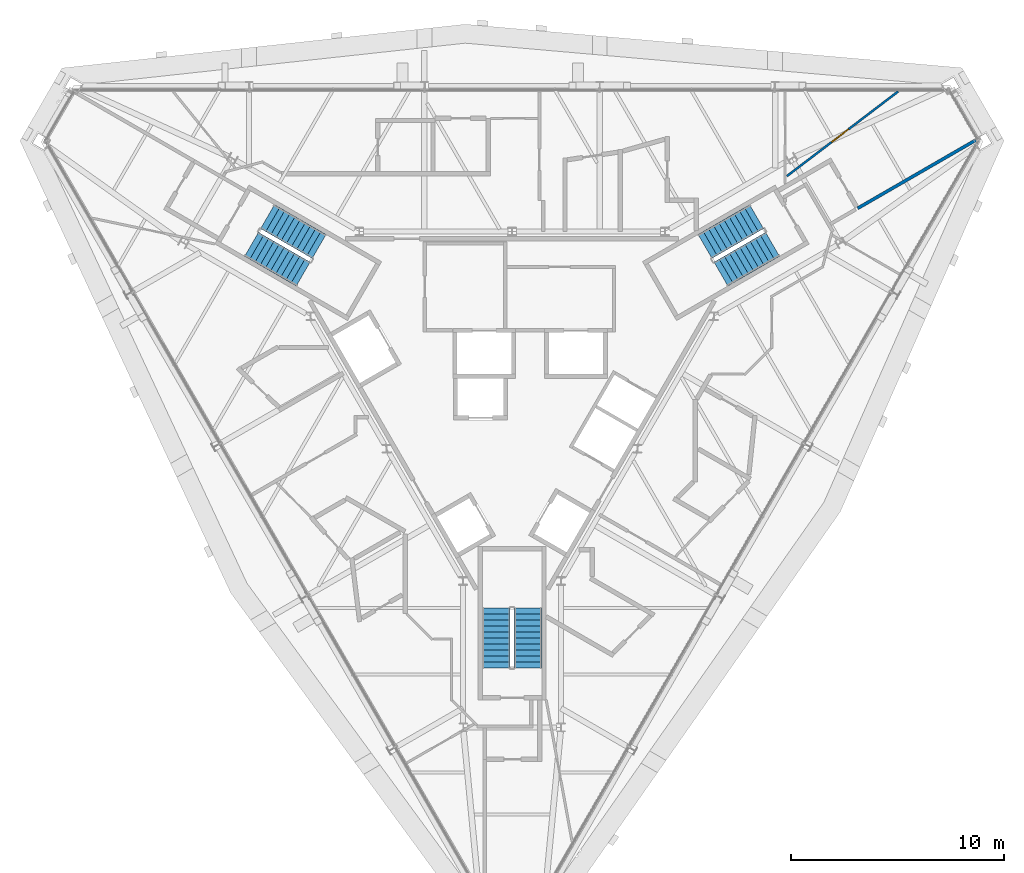
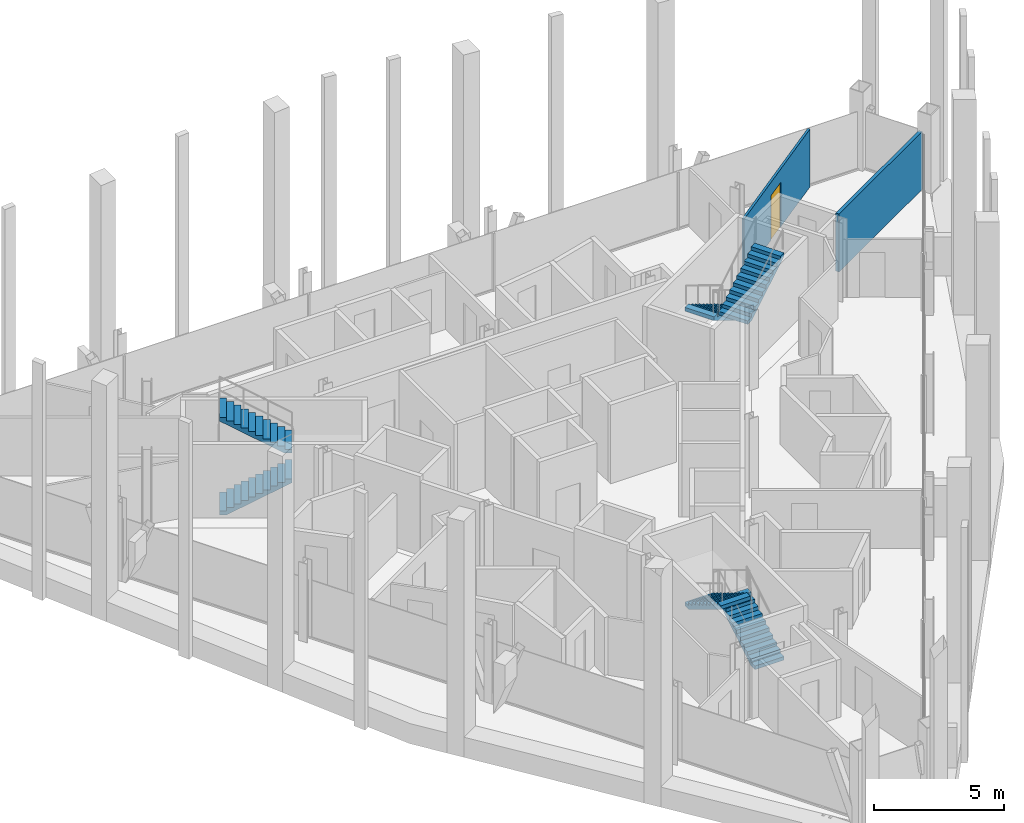
# One storey, part 11 of 13: 6 stair flights, 2 walls, 1 door, 1 opening, 3 elements without a shape of their own.
"""IFC4 building model written with IfcOpenShell, lengths in metres."""

from ifc_helpers import new_model, si_unit, direction, frame, frame_2d, origin, place, context, subcontext, project, spatial, polyline, rectangle, outline, extrude, material, layer, layer_set, type_object, element, fill, aggregate, save


model = new_model("IFC4")

# Units and contexts
model_context = context("Model", 3, precision=1e-05, world=origin(), true_north=direction((0.0, 1.0)))
body_context = subcontext(model_context, "Body", "Model", "MODEL_VIEW")
ifc_project = project(units=[si_unit("LENGTHUNIT", "METRE"), si_unit("AREAUNIT", "SQUARE_METRE"), si_unit("VOLUMEUNIT", "CUBIC_METRE"), si_unit("PLANEANGLEUNIT", "RADIAN"), si_unit("MASSUNIT", "GRAM", prefix="KILO")], contexts=[model_context])

# Site, building, storey
site_placement = place(None, origin())
site = spatial("IfcSite", under=ifc_project, at=site_placement, CompositionType="ELEMENT")
building_placement = place(site_placement, origin())
building = spatial("IfcBuilding", under=site, at=building_placement, Name="Verrane Prism Tower", CompositionType="ELEMENT")
storey_placement = place(building_placement, frame((0.0, 0.0, 286.199951171875)))
storey = spatial("IfcBuildingStorey", under=building, at=storey_placement, Name="L72", CompositionType="ELEMENT", Elevation=286.199951171875)

# Wall, opening, door
ifc_material_1 = material(Name="Gypsum board partition", Category="other")
ifc_layer_1 = layer(ifc_material_1, 0.10009765625)
ifc_layer_set_1 = layer_set([ifc_layer_1], Name="PW-100 room partition")
wall_type_1 = type_object("IfcWallType", Name="PW-100 room partition", PredefinedType="PARTITIONING", material=ifc_layer_set_1)
wall_1_placement = place(storey_placement, frame((18.1435546875, 13.382568359375, 0.0), z_axis=(0.0, 0.0, 1.0), x_axis=(-0.795867985115, -0.605470189414, 0.0)))
wall_1 = element("IfcWall", 1, at=wall_1_placement, inside=storey, type_object=wall_type_1, Name="Room partition 076", PredefinedType="PARTITIONING", context=body_context, shape_type="SweptSolid", body=[
    extrude(rectangle(XDim=6.57421875, YDim=0.10009765625, at=frame_2d((3.287109375, 0.0))), origin(), (0.0, 0.0, 1.0), 2.72314453125),
])
opening_placement = place(wall_1_placement, frame((2.925048828125, 0.0, 0.0)))
opening = element("IfcOpeningElement", 2, at=opening_placement, cuts=wall_1, Name="Opening D72013", PredefinedType="OPENING", context=body_context, shape_type="SweptSolid", body=[
    extrude(rectangle(XDim=1.0, YDim=2.10009765625, at=frame_2d((0.5, 1.050048828125))), frame((0.0, 0.06005859375, 0.0), z_axis=(0.0, -1.0, 0.0), x_axis=(1.0, 0.0, 0.0)), (0.0, 0.0, 1.0), 0.1201171875),
])
ifc_material_2 = material(Name="Timber veneered door leaf", Category="wood")
door_type = type_object("IfcDoorType", Name="DR-1000x2100 single leaf inner", OperationType="NOTDEFINED", PredefinedType="DOOR", material=ifc_material_2)
door_placement = place(opening_placement, origin())
door = element("IfcDoor", 3, at=door_placement, inside=storey, type_object=door_type, Name="Study door", OperationType="SINGLE_SWING_RIGHT", OverallHeight=2.10009765625, OverallWidth=1.0, PredefinedType="DOOR", context=body_context, shape_type="SweptSolid", body=[
    extrude(rectangle(XDim=1.0, YDim=2.10009765625, at=frame_2d((0.5, 1.050048828125))), frame((0.0, 0.02490234375, 0.0), z_axis=(0.0, -1.0, 0.0), x_axis=(1.0, 0.0, 0.0)), (0.0, 0.0, 1.0), 0.050048828125),
])
fill(opening, door)

# Wall
ifc_material_3 = material(Name="Gypsum board partition", Category="other")
ifc_layer_2 = layer(ifc_material_3, 0.14990234375)
ifc_layer_set_2 = layer_set([ifc_layer_2], Name="PW-150 demising wall 1 h")
wall_type_2 = type_object("IfcWallType", Name="PW-150 demising wall 1 h", PredefinedType="PARTITIONING", material=ifc_layer_set_2)
wall_2_placement = place(storey_placement, frame((16.236083984375, 7.888916015625, 0.0), z_axis=(0.0, 0.0, 1.0), x_axis=(0.865995456094, 0.500051867335, 0.0)))
element("IfcWall", 4, at=wall_2_placement, inside=storey, type_object=wall_type_2, Name="Demising wall 082", PredefinedType="PARTITIONING", context=body_context, shape_type="SweptSolid", body=[
    extrude(rectangle(XDim=6.415283203125, YDim=0.14990234375, at=frame_2d((3.20751953125, 0.0))), origin(), (0.0, 0.0, 1.0), 2.72314453125),
])

# Stair, stair flights
ifc_material_4 = material(Name="Concrete C40/50", Category="concrete")
stair_type = type_object("IfcStairType", Name="Exit stair 1300 dog-leg precast concrete C40/50", PredefinedType="HALF_TURN_STAIR", material=ifc_material_4)
stair_1_placement = place(storey_placement, origin())
stair_1 = element("IfcStair", 5, at=stair_1_placement, inside=storey, type_object=stair_type, Name="Stair 1 L72", PredefinedType="HALF_TURN_STAIR")
ifc_material_5 = material(Name="Concrete C40/50", Category="concrete")
stair_flight_type = type_object("IfcStairFlightType", Name="Stair flight 1300 precast concrete C40/50", PredefinedType="STRAIGHT", material=ifc_material_5)
stair_flight_1_placement = place(storey_placement, frame((11.489501953125, 7.49951171875, 0.0), z_axis=(0.0, 0.0, 1.0), x_axis=(-0.866025403784, -0.5, 0.0)))
stair_flight_1 = element("IfcStairFlight", 6, at=stair_flight_1_placement, type_object=stair_flight_type, Name="Stair 1 flight 1", NumberOfRisers=11, NumberOfTreads=10, PredefinedType="STRAIGHT", RiserHeight=0.168181818, TreadLength=0.28, context=body_context, shape_type="SweptSolid", body=[
    extrude(outline(polyline([(0.0, 0.0), (0.0, 0.168212890625), (0.280029296875, 0.168212890625), (0.280029296875, 0.33642578125), (0.56005859375, 0.33642578125), (0.56005859375, 0.504638671875), (0.840087890625, 0.504638671875), (0.840087890625, 0.672607421875), (1.1201171875, 0.672607421875), (1.1201171875, 0.8408203125), (1.39990234375, 0.8408203125), (1.39990234375, 1.009033203125), (1.679931640625, 1.009033203125), (1.679931640625, 1.17724609375), (1.9599609375, 1.17724609375), (1.9599609375, 1.345458984375), (2.239990234375, 1.345458984375), (2.239990234375, 1.513671875), (2.52001953125, 1.513671875), (2.52001953125, 1.681884765625), (2.800048828125, 1.681884765625), (2.800048828125, 1.85009765625), (2.800048828125, 1.5068359375), (0.291015625, 0.0), (0.0, 0.0)])), frame((0.0, 0.64990234375, 0.0), z_axis=(0.0, -1.0, 0.0), x_axis=(1.0, 0.0, 0.0)), (0.0, 0.0, 1.0), 1.300048828125),
])
stair_flight_2_placement = place(storey_placement, frame((9.814697265625, 4.800537109375, 1.85009765625), z_axis=(0.0, 0.0, 1.0), x_axis=(0.866025403784, 0.5, 0.0)))
stair_flight_2 = element("IfcStairFlight", 7, at=stair_flight_2_placement, type_object=stair_flight_type, Name="Stair 1 flight 2", NumberOfRisers=11, NumberOfTreads=10, PredefinedType="STRAIGHT", RiserHeight=0.168181818, TreadLength=0.28, context=body_context, shape_type="SweptSolid", body=[
    extrude(outline(polyline([(0.0, 0.0), (0.0, 0.168212890625), (0.280029296875, 0.168212890625), (0.280029296875, 0.33642578125), (0.56005859375, 0.33642578125), (0.56005859375, 0.504638671875), (0.840087890625, 0.504638671875), (0.840087890625, 0.672607421875), (1.1201171875, 0.672607421875), (1.1201171875, 0.8408203125), (1.39990234375, 0.8408203125), (1.39990234375, 1.009033203125), (1.679931640625, 1.009033203125), (1.679931640625, 1.17724609375), (1.9599609375, 1.17724609375), (1.9599609375, 1.345458984375), (2.239990234375, 1.345458984375), (2.239990234375, 1.513671875), (2.52001953125, 1.513671875), (2.52001953125, 1.681884765625), (2.800048828125, 1.681884765625), (2.800048828125, 1.85009765625), (2.800048828125, 1.5068359375), (0.291015625, 0.0), (0.0, 0.0)])), frame((0.0, 0.64990234375, 0.0), z_axis=(0.0, -1.0, 0.0), x_axis=(1.0, 0.0, 0.0)), (0.0, 0.0, 1.0), 1.300048828125),
])
aggregate(stair_1, [stair_flight_1, stair_flight_2])

stair_2_placement = place(storey_placement, origin())
stair_2 = element("IfcStair", 8, at=stair_2_placement, inside=storey, type_object=stair_type, Name="Stair 2 L72", PredefinedType="HALF_TURN_STAIR")
stair_flight_3_placement = place(storey_placement, frame((-12.239501953125, 6.200439453125, 0.0), z_axis=(0.0, 0.0, 1.0), x_axis=(0.866025403784, -0.5, 0.0)))
stair_flight_3 = element("IfcStairFlight", 9, at=stair_flight_3_placement, type_object=stair_flight_type, Name="Stair 2 flight 1", NumberOfRisers=11, NumberOfTreads=10, PredefinedType="STRAIGHT", RiserHeight=0.168181818, TreadLength=0.28, context=body_context, shape_type="SweptSolid", body=[
    extrude(outline(polyline([(0.0, 0.0), (0.0, 0.168212890625), (0.280029296875, 0.168212890625), (0.280029296875, 0.33642578125), (0.56005859375, 0.33642578125), (0.56005859375, 0.504638671875), (0.840087890625, 0.504638671875), (0.840087890625, 0.672607421875), (1.1201171875, 0.672607421875), (1.1201171875, 0.8408203125), (1.39990234375, 0.8408203125), (1.39990234375, 1.009033203125), (1.679931640625, 1.009033203125), (1.679931640625, 1.17724609375), (1.9599609375, 1.17724609375), (1.9599609375, 1.345458984375), (2.239990234375, 1.345458984375), (2.239990234375, 1.513671875), (2.52001953125, 1.513671875), (2.52001953125, 1.681884765625), (2.800048828125, 1.681884765625), (2.800048828125, 1.85009765625), (2.800048828125, 1.5068359375), (0.291015625, 0.0), (0.0, 0.0)])), frame((0.0, 0.64990234375, 0.0), z_axis=(0.0, -1.0, 0.0), x_axis=(1.0, 0.0, 0.0)), (0.0, 0.0, 1.0), 1.300048828125),
])
stair_flight_4_placement = place(storey_placement, frame((-9.064697265625, 6.099609375, 1.85009765625), z_axis=(0.0, 0.0, 1.0), x_axis=(-0.866025403784, 0.5, 0.0)))
stair_flight_4 = element("IfcStairFlight", 10, at=stair_flight_4_placement, type_object=stair_flight_type, Name="Stair 2 flight 2", NumberOfRisers=11, NumberOfTreads=10, PredefinedType="STRAIGHT", RiserHeight=0.168181818, TreadLength=0.28, context=body_context, shape_type="SweptSolid", body=[
    extrude(outline(polyline([(0.0, 0.0), (0.0, 0.168212890625), (0.280029296875, 0.168212890625), (0.280029296875, 0.33642578125), (0.56005859375, 0.33642578125), (0.56005859375, 0.504638671875), (0.840087890625, 0.504638671875), (0.840087890625, 0.672607421875), (1.1201171875, 0.672607421875), (1.1201171875, 0.8408203125), (1.39990234375, 0.8408203125), (1.39990234375, 1.009033203125), (1.679931640625, 1.009033203125), (1.679931640625, 1.17724609375), (1.9599609375, 1.17724609375), (1.9599609375, 1.345458984375), (2.239990234375, 1.345458984375), (2.239990234375, 1.513671875), (2.52001953125, 1.513671875), (2.52001953125, 1.681884765625), (2.800048828125, 1.681884765625), (2.800048828125, 1.85009765625), (2.800048828125, 1.5068359375), (0.291015625, 0.0), (0.0, 0.0)])), frame((0.0, 0.64990234375, 0.0), z_axis=(0.0, -1.0, 0.0), x_axis=(1.0, 0.0, 0.0)), (0.0, 0.0, 1.0), 1.300048828125),
])
aggregate(stair_2, [stair_flight_3, stair_flight_4])

stair_3_placement = place(storey_placement, origin())
stair_3 = element("IfcStair", 11, at=stair_3_placement, inside=storey, type_object=stair_type, Name="Stair 3 L72", PredefinedType="HALF_TURN_STAIR")
stair_flight_5_placement = place(storey_placement, frame((0.75, -13.699951171875, 0.0), z_axis=(0.0, 0.0, 1.0), x_axis=(0.0, 1.0, 0.0)))
stair_flight_5 = element("IfcStairFlight", 12, at=stair_flight_5_placement, type_object=stair_flight_type, Name="Stair 3 flight 1", NumberOfRisers=11, NumberOfTreads=10, PredefinedType="STRAIGHT", RiserHeight=0.168181818, TreadLength=0.28, context=body_context, shape_type="SweptSolid", body=[
    extrude(outline(polyline([(0.0, 0.0), (0.0, 0.168212890625), (0.280029296875, 0.168212890625), (0.280029296875, 0.33642578125), (0.56005859375, 0.33642578125), (0.56005859375, 0.504638671875), (0.840087890625, 0.504638671875), (0.840087890625, 0.672607421875), (1.1201171875, 0.672607421875), (1.1201171875, 0.8408203125), (1.39990234375, 0.8408203125), (1.39990234375, 1.009033203125), (1.679931640625, 1.009033203125), (1.679931640625, 1.17724609375), (1.9599609375, 1.17724609375), (1.9599609375, 1.345458984375), (2.239990234375, 1.345458984375), (2.239990234375, 1.513671875), (2.52001953125, 1.513671875), (2.52001953125, 1.681884765625), (2.800048828125, 1.681884765625), (2.800048828125, 1.85009765625), (2.800048828125, 1.5068359375), (0.291015625, 0.0), (0.0, 0.0)])), frame((0.0, 0.64990234375, 0.0), z_axis=(0.0, -1.0, 0.0), x_axis=(1.0, 0.0, 0.0)), (0.0, 0.0, 1.0), 1.300048828125),
])
stair_flight_6_placement = place(storey_placement, frame((-0.75, -10.89990234375, 1.85009765625), z_axis=(0.0, 0.0, 1.0), x_axis=(0.0, -1.0, 0.0)))
stair_flight_6 = element("IfcStairFlight", 13, at=stair_flight_6_placement, type_object=stair_flight_type, Name="Stair 3 flight 2", NumberOfRisers=11, NumberOfTreads=10, PredefinedType="STRAIGHT", RiserHeight=0.168181818, TreadLength=0.28, context=body_context, shape_type="SweptSolid", body=[
    extrude(outline(polyline([(0.0, 0.0), (0.0, 0.168212890625), (0.280029296875, 0.168212890625), (0.280029296875, 0.33642578125), (0.56005859375, 0.33642578125), (0.56005859375, 0.504638671875), (0.840087890625, 0.504638671875), (0.840087890625, 0.672607421875), (1.1201171875, 0.672607421875), (1.1201171875, 0.8408203125), (1.39990234375, 0.8408203125), (1.39990234375, 1.009033203125), (1.679931640625, 1.009033203125), (1.679931640625, 1.17724609375), (1.9599609375, 1.17724609375), (1.9599609375, 1.345458984375), (2.239990234375, 1.345458984375), (2.239990234375, 1.513671875), (2.52001953125, 1.513671875), (2.52001953125, 1.681884765625), (2.800048828125, 1.681884765625), (2.800048828125, 1.85009765625), (2.800048828125, 1.5068359375), (0.291015625, 0.0), (0.0, 0.0)])), frame((0.0, 0.64990234375, 0.0), z_axis=(0.0, -1.0, 0.0), x_axis=(1.0, 0.0, 0.0)), (0.0, 0.0, 1.0), 1.300048828125),
])
aggregate(stair_3, [stair_flight_5, stair_flight_6])

save(model, "model.ifc")
